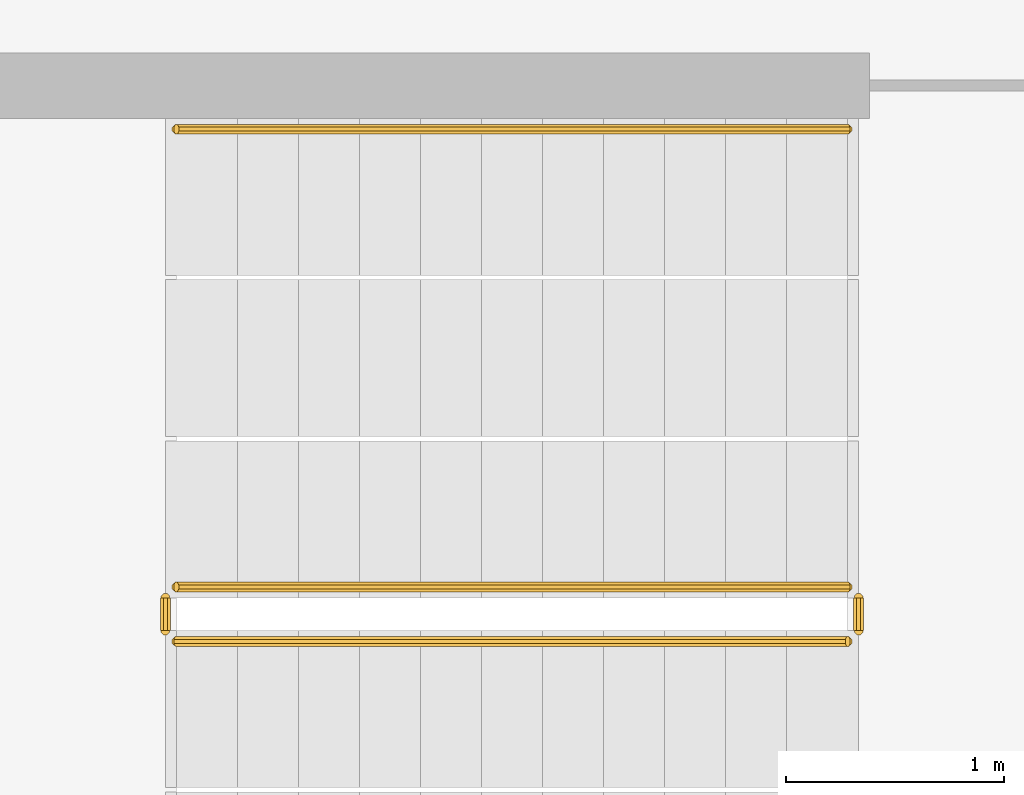
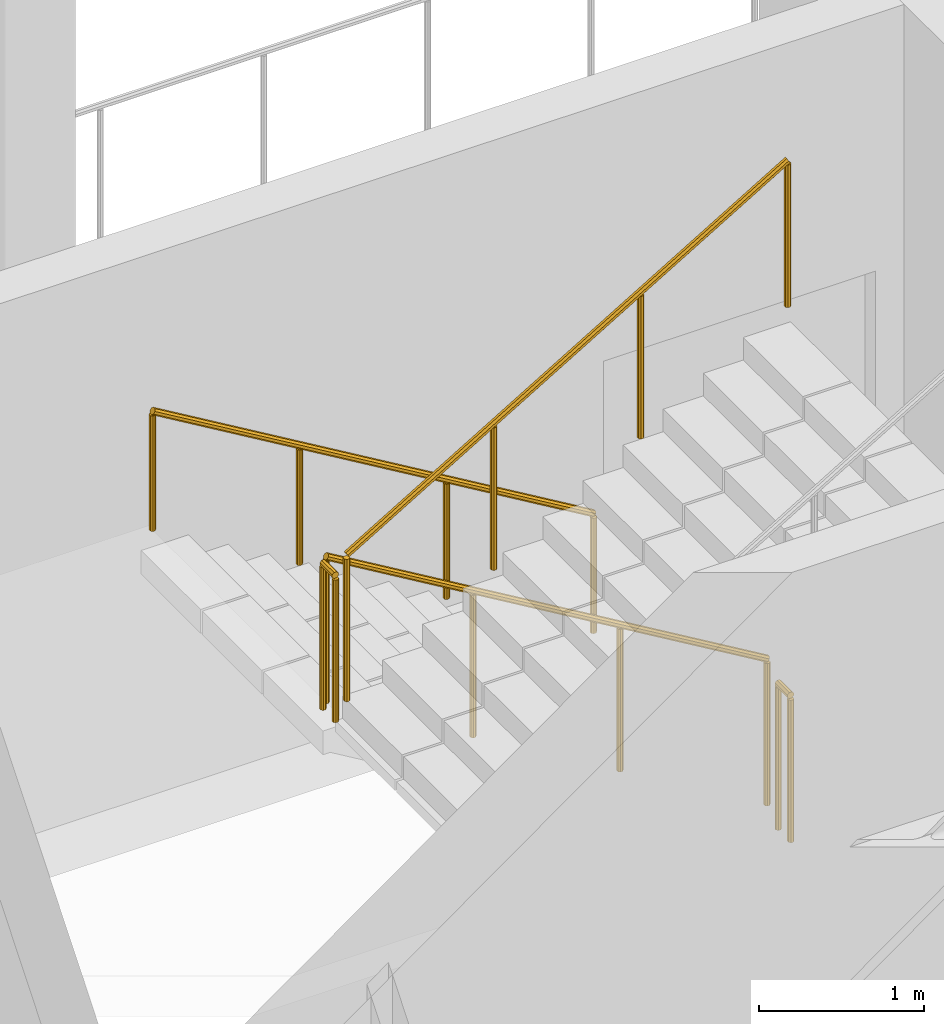
# One storey, part 20 of 28: 5 railings.
"""IFC4 building model written with IfcOpenShell, lengths in metres."""

from ifc_helpers import new_model, si_unit, direction, frame, origin, place, context, subcontext, project, spatial, polyline, outline, extrude, material, type_object, element, save


model = new_model("IFC4")

# Units and contexts
model_context = context("Model", 3, precision=1e-05, world=origin(), true_north=direction((0.0, 1.0)))
body_context = subcontext(model_context, "Body", "Model", "MODEL_VIEW")
ifc_project = project(units=[si_unit("LENGTHUNIT", "METRE"), si_unit("AREAUNIT", "SQUARE_METRE"), si_unit("VOLUMEUNIT", "CUBIC_METRE"), si_unit("PLANEANGLEUNIT", "RADIAN"), si_unit("MASSUNIT", "GRAM", prefix="KILO")], contexts=[model_context])

# Site, building, storey
site_placement = place(None, origin())
site = spatial("IfcSite", under=ifc_project, at=site_placement, CompositionType="ELEMENT")
building_placement = place(site_placement, origin())
building = spatial("IfcBuilding", under=site, at=building_placement, Name="Cormorant Relay Tower", CompositionType="ELEMENT")
storey_placement = place(building_placement, frame((0.0, 0.0, 138.199951171875)))
storey = spatial("IfcBuildingStorey", under=building, at=storey_placement, Name="L28", CompositionType="ELEMENT", Elevation=138.199951171875)

# Railings
ifc_material_1 = material(Name="Steel ASTM A572 Grade 50 (Fy 345 MPa)", Category="steel")
railing_type_1 = type_object("IfcRailingType", Name="Stair guard 1100", PredefinedType="GUARDRAIL", material=ifc_material_1)
railing_1_placement = place(storey_placement, frame((1.60009765625, -18.27490234375, 0.166748046875)))
element("IfcRailing", 1, at=railing_1_placement, inside=storey, type_object=railing_type_1, Name="L28 RK1 stair guard 1", PredefinedType="GUARDRAIL", context=body_context, shape_type="SweptSolid", body=[
    extrude(outline(polyline([(0.022216796875, 0.00927734375), (0.00927734375, 0.022216796875), (-0.00927734375, 0.022216796875), (-0.022216796875, 0.00927734375), (-0.022216796875, -0.00927734375), (-0.00927734375, -0.022216796875), (0.00927734375, -0.022216796875), (0.022216796875, -0.00927734375), (0.022216796875, 0.00927734375)])), frame((0.0, 0.0, 1.076171875), z_axis=(-0.859308565015, 0.0, 0.511457515432), x_axis=(0.0, -1.0, 0.0)), (0.0, 0.0, 1.0), 3.58447265625),
    extrude(outline(polyline([(0.019287109375, 0.008056640625), (0.008056640625, 0.019287109375), (-0.008056640625, 0.019287109375), (-0.019287109375, 0.008056640625), (-0.019287109375, -0.008056640625), (-0.008056640625, -0.019287109375), (0.008056640625, -0.019287109375), (0.019287109375, -0.008056640625), (0.019287109375, 0.008056640625)])), origin(), (0.0, 0.0, 1.0), 1.052001953125),
    extrude(outline(polyline([(0.019287109375, 0.008056640625), (0.008056640625, 0.019287109375), (-0.008056640625, 0.019287109375), (-0.019287109375, 0.008056640625), (-0.019287109375, -0.008056640625), (-0.008056640625, -0.019287109375), (0.008056640625, -0.019287109375), (0.019287109375, -0.008056640625), (0.019287109375, 0.008056640625)])), frame((-1.026611328125, 0.0, 0.611083984375)), (0.0, 0.0, 1.0), 1.052001953125),
    extrude(outline(polyline([(0.019287109375, 0.008056640625), (0.008056640625, 0.019287109375), (-0.008056640625, 0.019287109375), (-0.019287109375, 0.008056640625), (-0.019287109375, -0.008056640625), (-0.008056640625, -0.019287109375), (0.008056640625, -0.019287109375), (0.019287109375, -0.008056640625), (0.019287109375, 0.008056640625)])), frame((-2.053466796875, 0.0, 1.22216796875)), (0.0, 0.0, 1.0), 1.052001953125),
    extrude(outline(polyline([(0.019287109375, 0.008056640625), (0.008056640625, 0.019287109375), (-0.008056640625, 0.019287109375), (-0.019287109375, 0.008056640625), (-0.019287109375, -0.008056640625), (-0.008056640625, -0.019287109375), (0.008056640625, -0.019287109375), (0.019287109375, -0.008056640625), (0.019287109375, 0.008056640625)])), frame((-3.080078125, 0.0, 1.833251953125)), (0.0, 0.0, 1.0), 1.052001953125),
])
railing_2_placement = place(storey_placement, frame((-1.530029296875, -18.324951171875, 2.0)))
element("IfcRailing", 2, at=railing_2_placement, inside=storey, type_object=railing_type_1, Name="L28 RK1 stair guard 2", PredefinedType="GUARDRAIL", context=body_context, shape_type="SweptSolid", body=[
    extrude(outline(polyline([(0.022216796875, 0.00927734375), (0.00927734375, 0.022216796875), (-0.00927734375, 0.022216796875), (-0.022216796875, 0.00927734375), (-0.022216796875, -0.00927734375), (-0.00927734375, -0.022216796875), (0.00927734375, -0.022216796875), (0.022216796875, -0.00927734375), (0.022216796875, 0.00927734375)])), frame((0.0, 0.0, 1.076171875), z_axis=(0.0, -1.0, 0.0), x_axis=(1.0, 0.0, 0.0)), (0.0, 0.0, 1.0), 0.150146484375),
    extrude(outline(polyline([(0.019287109375, 0.008056640625), (0.008056640625, 0.019287109375), (-0.008056640625, 0.019287109375), (-0.019287109375, 0.008056640625), (-0.019287109375, -0.008056640625), (-0.008056640625, -0.019287109375), (0.008056640625, -0.019287109375), (0.019287109375, -0.008056640625), (0.019287109375, 0.008056640625)])), origin(), (0.0, 0.0, 1.0), 1.052001953125),
    extrude(outline(polyline([(0.019287109375, 0.008056640625), (0.008056640625, 0.019287109375), (-0.008056640625, 0.019287109375), (-0.019287109375, 0.008056640625), (-0.019287109375, -0.008056640625), (-0.008056640625, -0.019287109375), (0.008056640625, -0.019287109375), (0.019287109375, -0.008056640625), (0.019287109375, 0.008056640625)])), frame((0.0, -0.150146484375, 0.0)), (0.0, 0.0, 1.0), 1.052001953125),
])
railing_3_placement = place(storey_placement, frame((-1.47998046875, -18.52490234375, 2.166748046875)))
element("IfcRailing", 3, at=railing_3_placement, inside=storey, type_object=railing_type_1, Name="L28 RK1 stair guard 3", PredefinedType="GUARDRAIL", context=body_context, shape_type="SweptSolid", body=[
    extrude(outline(polyline([(0.022216796875, 0.00927734375), (0.00927734375, 0.022216796875), (-0.00927734375, 0.022216796875), (-0.022216796875, 0.00927734375), (-0.022216796875, -0.00927734375), (-0.00927734375, -0.022216796875), (0.00927734375, -0.022216796875), (0.022216796875, -0.00927734375), (0.022216796875, 0.00927734375)])), frame((0.0, 0.0, 1.076171875), z_axis=(0.859308565015, 0.0, 0.511457515432), x_axis=(0.0, 1.0, 0.0)), (0.0, 0.0, 1.0), 3.58447265625),
    extrude(outline(polyline([(0.019287109375, 0.008056640625), (0.008056640625, 0.019287109375), (-0.008056640625, 0.019287109375), (-0.019287109375, 0.008056640625), (-0.019287109375, -0.008056640625), (-0.008056640625, -0.019287109375), (0.008056640625, -0.019287109375), (0.019287109375, -0.008056640625), (0.019287109375, 0.008056640625)])), origin(), (0.0, 0.0, 1.0), 1.052001953125),
    extrude(outline(polyline([(0.019287109375, 0.008056640625), (0.008056640625, 0.019287109375), (-0.008056640625, 0.019287109375), (-0.019287109375, 0.008056640625), (-0.019287109375, -0.008056640625), (-0.008056640625, -0.019287109375), (0.008056640625, -0.019287109375), (0.019287109375, -0.008056640625), (0.019287109375, 0.008056640625)])), frame((1.026611328125, 0.0, 0.611083984375)), (0.0, 0.0, 1.0), 1.052001953125),
    extrude(outline(polyline([(0.019287109375, 0.008056640625), (0.008056640625, 0.019287109375), (-0.008056640625, 0.019287109375), (-0.019287109375, 0.008056640625), (-0.019287109375, -0.008056640625), (-0.008056640625, -0.019287109375), (0.008056640625, -0.019287109375), (0.019287109375, -0.008056640625), (0.019287109375, 0.008056640625)])), frame((2.053466796875, 0.0, 1.22216796875)), (0.0, 0.0, 1.0), 1.052001953125),
    extrude(outline(polyline([(0.019287109375, 0.008056640625), (0.008056640625, 0.019287109375), (-0.008056640625, 0.019287109375), (-0.019287109375, 0.008056640625), (-0.019287109375, -0.008056640625), (-0.008056640625, -0.019287109375), (0.008056640625, -0.019287109375), (0.019287109375, -0.008056640625), (0.019287109375, 0.008056640625)])), frame((3.080078125, 0.0, 1.833251953125)), (0.0, 0.0, 1.0), 1.052001953125),
])
railing_4_placement = place(storey_placement, frame((1.64990234375, -18.324951171875, 0.0)))
element("IfcRailing", 4, at=railing_4_placement, inside=storey, type_object=railing_type_1, Name="L28 RK1 stair guard 4", PredefinedType="GUARDRAIL", context=body_context, shape_type="SweptSolid", body=[
    extrude(outline(polyline([(0.022216796875, 0.00927734375), (0.00927734375, 0.022216796875), (-0.00927734375, 0.022216796875), (-0.022216796875, 0.00927734375), (-0.022216796875, -0.00927734375), (-0.00927734375, -0.022216796875), (0.00927734375, -0.022216796875), (0.022216796875, -0.00927734375), (0.022216796875, 0.00927734375)])), frame((0.0, 0.0, 1.076171875), z_axis=(0.0, -1.0, 0.0), x_axis=(1.0, 0.0, 0.0)), (0.0, 0.0, 1.0), 0.150146484375),
    extrude(outline(polyline([(0.019287109375, 0.008056640625), (0.008056640625, 0.019287109375), (-0.008056640625, 0.019287109375), (-0.019287109375, 0.008056640625), (-0.019287109375, -0.008056640625), (-0.008056640625, -0.019287109375), (0.008056640625, -0.019287109375), (0.019287109375, -0.008056640625), (0.019287109375, 0.008056640625)])), origin(), (0.0, 0.0, 1.0), 1.052001953125),
    extrude(outline(polyline([(0.019287109375, 0.008056640625), (0.008056640625, 0.019287109375), (-0.008056640625, 0.019287109375), (-0.019287109375, 0.008056640625), (-0.019287109375, -0.008056640625), (-0.008056640625, -0.019287109375), (0.008056640625, -0.019287109375), (0.019287109375, -0.008056640625), (0.019287109375, 0.008056640625)])), frame((0.0, -0.150146484375, 0.0)), (0.0, 0.0, 1.0), 1.052001953125),
])
ifc_material_2 = material(Name="Steel ASTM A572 Grade 50 (Fy 345 MPa)", Category="steel")
railing_type_2 = type_object("IfcRailingType", Name="Stair handrail 900", PredefinedType="HANDRAIL", material=ifc_material_2)
railing_5_placement = place(storey_placement, frame((1.60009765625, -16.175048828125, 0.166748046875)))
element("IfcRailing", 5, at=railing_5_placement, inside=storey, type_object=railing_type_2, Name="L28 RK1 stair handrail 1", PredefinedType="HANDRAIL", context=body_context, shape_type="SweptSolid", body=[
    extrude(outline(polyline([(0.022216796875, 0.00927734375), (0.00927734375, 0.022216796875), (-0.00927734375, 0.022216796875), (-0.022216796875, 0.00927734375), (-0.022216796875, -0.00927734375), (-0.00927734375, -0.022216796875), (0.00927734375, -0.022216796875), (0.022216796875, -0.00927734375), (0.022216796875, 0.00927734375)])), frame((0.0, 0.0, 0.8759765625), z_axis=(-0.859308565015, 0.0, 0.511457515432), x_axis=(0.0, -1.0, 0.0)), (0.0, 0.0, 1.0), 3.58447265625),
    extrude(outline(polyline([(0.019287109375, 0.008056640625), (0.008056640625, 0.019287109375), (-0.008056640625, 0.019287109375), (-0.019287109375, 0.008056640625), (-0.019287109375, -0.008056640625), (-0.008056640625, -0.019287109375), (0.008056640625, -0.019287109375), (0.019287109375, -0.008056640625), (0.019287109375, 0.008056640625)])), origin(), (0.0, 0.0, 1.0), 0.851806640625),
    extrude(outline(polyline([(0.019287109375, 0.008056640625), (0.008056640625, 0.019287109375), (-0.008056640625, 0.019287109375), (-0.019287109375, 0.008056640625), (-0.019287109375, -0.008056640625), (-0.008056640625, -0.019287109375), (0.008056640625, -0.019287109375), (0.019287109375, -0.008056640625), (0.019287109375, 0.008056640625)])), frame((-1.026611328125, 0.0, 0.611083984375)), (0.0, 0.0, 1.0), 0.851806640625),
    extrude(outline(polyline([(0.019287109375, 0.008056640625), (0.008056640625, 0.019287109375), (-0.008056640625, 0.019287109375), (-0.019287109375, 0.008056640625), (-0.019287109375, -0.008056640625), (-0.008056640625, -0.019287109375), (0.008056640625, -0.019287109375), (0.019287109375, -0.008056640625), (0.019287109375, 0.008056640625)])), frame((-2.053466796875, 0.0, 1.22216796875)), (0.0, 0.0, 1.0), 0.851806640625),
    extrude(outline(polyline([(0.019287109375, 0.008056640625), (0.008056640625, 0.019287109375), (-0.008056640625, 0.019287109375), (-0.019287109375, 0.008056640625), (-0.019287109375, -0.008056640625), (-0.008056640625, -0.019287109375), (0.008056640625, -0.019287109375), (0.019287109375, -0.008056640625), (0.019287109375, 0.008056640625)])), frame((-3.080078125, 0.0, 1.833251953125)), (0.0, 0.0, 1.0), 0.851806640625),
])

save(model, "model.ifc")
